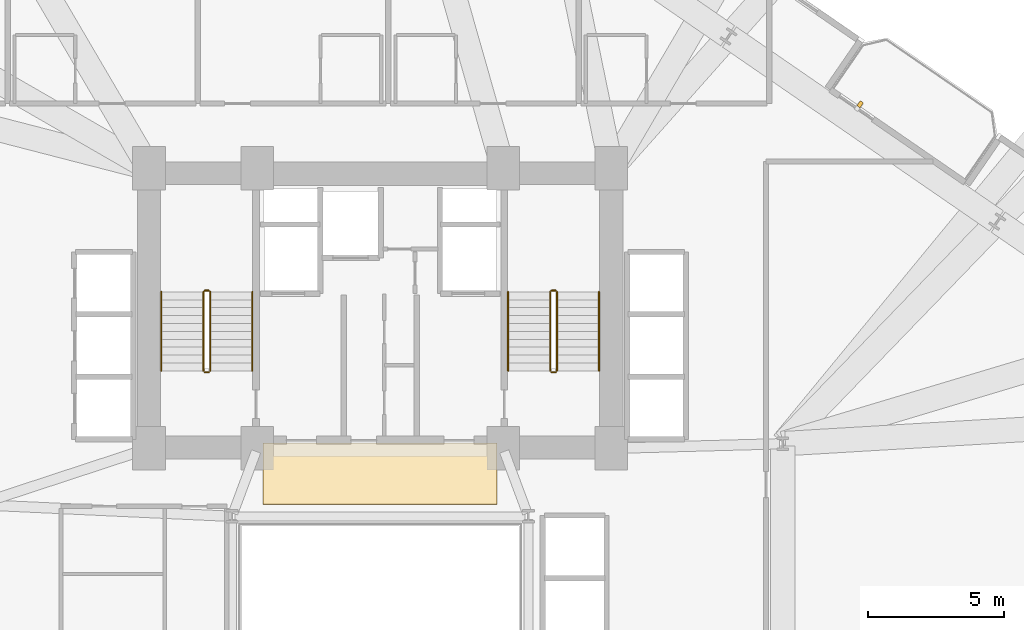
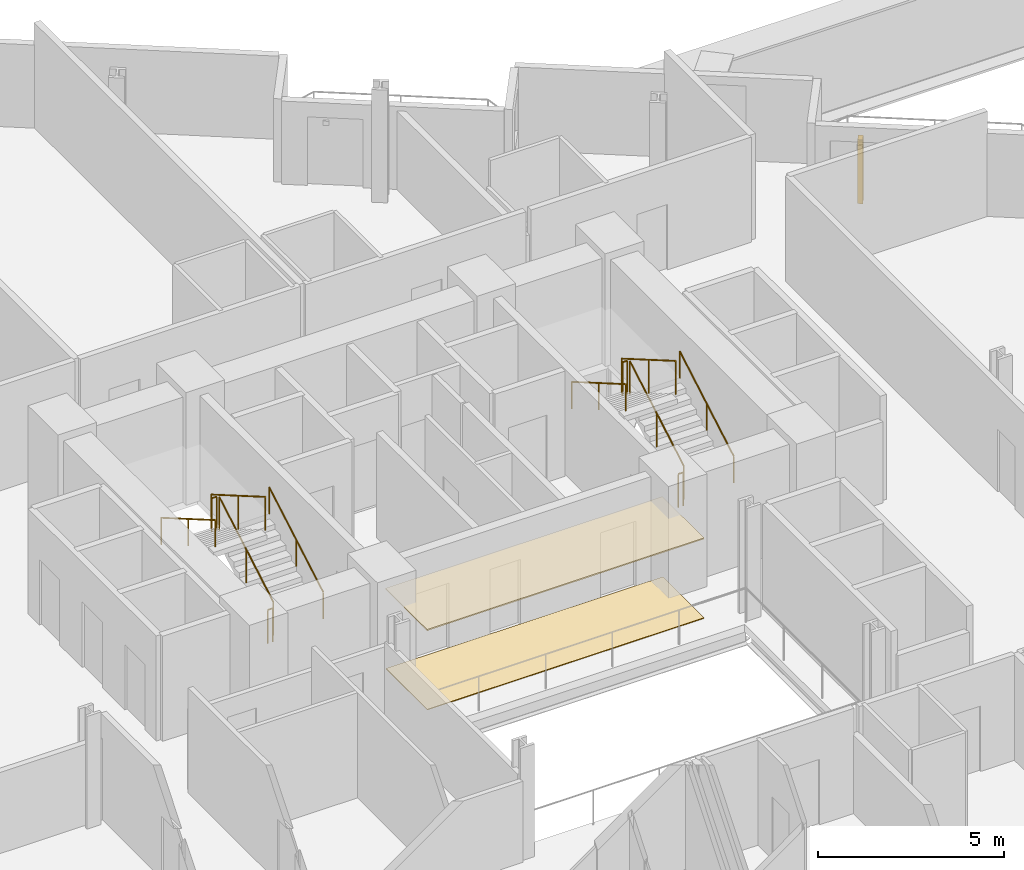
# One storey, part 25 of 26: 12 railings, 2 coverings, 1 shading device.
"""IFC4 building model written with IfcOpenShell, lengths in metres."""

import ifcopenshell
import ifcopenshell.guid

model = None  # the IFC model being written
_history = None  # IfcOwnerHistory: only IFC2X3 demands one
_inside = {}  # id of a spatial element -> (the spatial element, [elements in it])
_under = {}  # id of a project, library or spatial element -> (it, [spatial elements below it])
_declared = {}  # id of a project -> (the project, [libraries it declares])
_typed = {}  # id of a type object -> (the type object, [elements of that type])
_made_of = {}  # id of a material, layer set ... -> (it, [elements and type objects made of it])


def new_model(schema):
    """Start an empty IFC model of exactly this schema.

    Asked for "IFC4X3", IfcOpenShell would pick the latest addendum, in which some entities
    have other attributes; the version numbers below select the first issue.
    IFC2X3 requires an IfcOwnerHistory on every rooted entity: one is made here for all.
    """
    global model, _history
    if schema == "IFC4X3":
        model = ifcopenshell.file(schema_version=(4, 3, 0, 0))
    else:
        model = ifcopenshell.file(schema=schema)
    _inside.clear()
    _under.clear()
    _declared.clear()
    _typed.clear()
    _made_of.clear()
    _history = None
    if model.schema == "IFC2X3":
        org = make("IfcOrganization", Name="unknown")
        user = make(
            "IfcPersonAndOrganization",
            ThePerson=make("IfcPerson", FamilyName="unknown"),
            TheOrganization=org,
        )
        app = make(
            "IfcApplication",
            ApplicationDeveloper=org,
            Version="unknown",
            ApplicationFullName="unknown",
            ApplicationIdentifier="unknown",
        )
        _history = make(
            "IfcOwnerHistory",
            OwningUser=user,
            OwningApplication=app,
            ChangeAction="ADDED",
            CreationDate=0,
        )
    return model


def make(cls, **values):
    """One entity of the class cls with the attributes given. An attribute that is None is left unset."""
    return model.create_entity(
        cls, **{name: value for name, value in values.items() if value is not None}
    )


def rooted(cls, **values):
    """An entity with a GlobalId (a new one), such as an element, a storey or a relation."""
    return make(cls, GlobalId=ifcopenshell.guid.new(), OwnerHistory=_history, **values)


def si_unit(unit_type, name, prefix=None):
    """IfcSIUnit, for example si_unit("LENGTHUNIT", "METRE", prefix="MILLI")."""
    return make("IfcSIUnit", UnitType=unit_type, Prefix=prefix, Name=name)


def assignment(units):
    """IfcUnitAssignment: the units of a project."""
    return None if units is None else make("IfcUnitAssignment", Units=units)


def point(xyz):
    """IfcCartesianPoint."""
    return None if xyz is None else make("IfcCartesianPoint", Coordinates=xyz)


def direction(xyz):
    """IfcDirection."""
    return None if xyz is None else make("IfcDirection", DirectionRatios=xyz)


def frame(location, z_axis=None, x_axis=None):
    """IfcAxis2Placement3D, a coordinate frame: its origin and axes. An axis left out is left unset."""
    return make(
        "IfcAxis2Placement3D",
        Location=point(location),
        Axis=direction(z_axis),
        RefDirection=direction(x_axis),
    )


def frame_2d(location, x_axis=None):
    """IfcAxis2Placement2D, a coordinate frame in the plane: its origin and x axis."""
    return make(
        "IfcAxis2Placement2D", Location=point(location), RefDirection=direction(x_axis)
    )


def origin():
    """The frame at (0, 0, 0) with its axes left unset."""
    return frame((0.0, 0.0, 0.0))


def origin_2d():
    """The frame at (0, 0) in the plane with its x axis left unset."""
    return frame_2d((0.0, 0.0))


def place(relative_to, where):
    """IfcLocalPlacement: puts the frame where relative to a parent placement (None: the world)."""
    return make(
        "IfcLocalPlacement", PlacementRelTo=relative_to, RelativePlacement=where
    )


def context(
    kind, dimensions, precision=None, world=None, true_north=None, identifier=None
):
    """IfcGeometricRepresentationContext, for example the 3D "Model" context."""
    return make(
        "IfcGeometricRepresentationContext",
        ContextIdentifier=identifier,
        ContextType=kind,
        CoordinateSpaceDimension=dimensions,
        Precision=precision,
        WorldCoordinateSystem=world,
        TrueNorth=true_north,
    )


def subcontext(parent, identifier, kind, view, scale=None):
    """IfcGeometricRepresentationSubContext, for example "Body" below "Model"."""
    return make(
        "IfcGeometricRepresentationSubContext",
        ContextIdentifier=identifier,
        ContextType=kind,
        ParentContext=parent,
        TargetScale=scale,
        TargetView=view,
    )


def project(units=None, contexts=None):
    """IfcProject with its units and contexts."""
    return rooted(
        "IfcProject",
        Name="project",
        RepresentationContexts=contexts,
        UnitsInContext=assignment(units),
    )


def spatial(cls, under=None, at=None, **own):
    """A site, building, storey or space (cls), placed at a placement, below another one or the project."""
    s = rooted(cls, ObjectPlacement=at, **own)
    if under is not None:
        _under.setdefault(under.id(), (under, []))[1].append(s)
    return s


def profile(cls, at=None, kind="AREA", **sizes):
    """A parametric profile (cls). Its sizes go by their IFC names, for example OverallWidth=200.0."""
    return make(cls, ProfileType=kind, Position=at, **sizes)


def rectangle(**sizes):
    """IfcRectangleProfileDef."""
    return profile("IfcRectangleProfileDef", **sizes)


def circle(**sizes):
    """IfcCircleProfileDef."""
    return profile("IfcCircleProfileDef", **sizes)


def extrude(swept, where, along, depth):
    """IfcExtrudedAreaSolid: the profile swept, set in the frame where, extruded along a direction by depth."""
    return make(
        "IfcExtrudedAreaSolid",
        SweptArea=swept,
        Position=where,
        ExtrudedDirection=direction(along),
        Depth=depth,
    )


def shape(context_of_items, identifier, shape_type, items):
    """IfcShapeRepresentation: the items that make up one representation, for example the "Body"."""
    return make(
        "IfcShapeRepresentation",
        ContextOfItems=context_of_items,
        RepresentationIdentifier=identifier,
        RepresentationType=shape_type,
        Items=items,
    )


def source(mapping_origin, context_of_items, identifier, shape_type, items):
    """IfcRepresentationMap: a shape defined once, which mapped items show again and again."""
    return make(
        "IfcRepresentationMap",
        MappingOrigin=mapping_origin,
        MappedRepresentation=shape(context_of_items, identifier, shape_type, items),
    )


def transform(
    local_origin,
    x_axis=None,
    y_axis=None,
    z_axis=None,
    scale=None,
    scale2=None,
    scale3=None,
    uniform=True,
):
    """IfcCartesianTransformationOperator3D, or its non-uniform kind. x_axis, y_axis, z_axis: its Axis1, 2, 3."""
    if uniform:
        return make(
            "IfcCartesianTransformationOperator3D",
            Axis1=direction(x_axis),
            Axis2=direction(y_axis),
            LocalOrigin=point(local_origin),
            Scale=scale,
            Axis3=direction(z_axis),
        )
    return make(
        "IfcCartesianTransformationOperator3DnonUniform",
        Axis1=direction(x_axis),
        Axis2=direction(y_axis),
        LocalOrigin=point(local_origin),
        Scale=scale,
        Axis3=direction(z_axis),
        Scale2=scale2,
        Scale3=scale3,
    )


def mapped(mapping_source, mapping_target):
    """IfcMappedItem: shows the shape of a source again, moved by a transform."""
    return make(
        "IfcMappedItem", MappingSource=mapping_source, MappingTarget=mapping_target
    )


def material(Name=None, Category=None):
    """IfcMaterial."""
    return make("IfcMaterial", Name=Name, Category=Category)


def layer(
    of_material, thickness, ventilated=None, Name=None, Category=None, Priority=None
):
    """IfcMaterialLayer: one layer of a wall or slab, of a material (None: an air gap)."""
    return make(
        "IfcMaterialLayer",
        Material=of_material,
        LayerThickness=thickness,
        IsVentilated=ventilated,
        Name=Name,
        Category=Category,
        Priority=Priority,
    )


def layer_set(layers, Name=None):
    """IfcMaterialLayerSet."""
    return make("IfcMaterialLayerSet", MaterialLayers=layers, LayerSetName=Name)


def made_of(thing, what):
    """Note that an element or type object is made of a material, layer set ...; save() writes the relation."""
    if what is not None:
        _made_of.setdefault(what.id(), (what, []))[1].append(thing)
    return thing


def type_object(cls, material=None, **own):
    """A type object (cls), such as IfcWallType, which elements share."""
    return made_of(rooted(cls, **own), material)


def element(
    cls,
    number,
    at=None,
    inside=None,
    cuts=None,
    type_object=None,
    material=None,
    context=None,
    identifier="Body",
    shape_type=None,
    held_by="IfcProductDefinitionShape",
    body=None,
    shapes=None,
    **own,
):
    """One element of the class cls, such as IfcWall. Its Tag is "e" and its number.

    at: its placement. inside: the storey or other place that contains it. cuts: it is an
    opening in that element (IfcRelVoidsElement). A single representation is given by context,
    identifier, shape_type and body (its items); several are given by shapes. held_by: the class
    of the entity that holds the representations. save() writes the other relations.
    """
    e = rooted(cls, Tag="e%d" % number, ObjectPlacement=at, **own)
    if body is not None:
        shapes = [shape(context, identifier, shape_type, body)]
    if shapes is not None:
        e.Representation = make(held_by, Representations=shapes)
    if inside is not None:
        _inside.setdefault(inside.id(), (inside, []))[1].append(e)
    if cuts is not None:
        rooted(
            "IfcRelVoidsElement", RelatingBuildingElement=cuts, RelatedOpeningElement=e
        )
    if type_object is not None:
        _typed.setdefault(type_object.id(), (type_object, []))[1].append(e)
    return made_of(e, material)


def aggregate(whole, parts):
    """IfcRelAggregates: a whole, such as a stair, and the parts it consists of."""
    return rooted("IfcRelAggregates", RelatingObject=whole, RelatedObjects=parts)


def save(model, path):
    """Write the relations noted so far, then the file.

    IfcRelAggregates (storeys below a building ...), IfcRelContainedInSpatialStructure (elements
    in a storey), IfcRelDefinesByType, IfcRelAssociatesMaterial and IfcRelDeclares: one each for
    every whole, place, type object, material and project.
    """
    for whole, parts in _under.values():
        aggregate(whole, parts)
    for where, things in _inside.values():
        rooted(
            "IfcRelContainedInSpatialStructure",
            RelatedElements=things,
            RelatingStructure=where,
        )
    for kind, things in _typed.values():
        rooted("IfcRelDefinesByType", RelatedObjects=things, RelatingType=kind)
    for what, things in _made_of.values():
        rooted("IfcRelAssociatesMaterial", RelatedObjects=things, RelatingMaterial=what)
    for by, libraries in _declared.values():
        rooted("IfcRelDeclares", RelatingContext=by, RelatedDefinitions=libraries)
    model.write(path)


model = new_model("IFC4")

# Units and contexts
model_context = context("Model", 3, precision=1e-05, world=origin(), true_north=direction((0.0, 1.0)))
body_context = subcontext(model_context, "Body", "Model", "MODEL_VIEW")
ifc_project = project(units=[si_unit("LENGTHUNIT", "METRE"), si_unit("AREAUNIT", "SQUARE_METRE"), si_unit("VOLUMEUNIT", "CUBIC_METRE"), si_unit("PLANEANGLEUNIT", "RADIAN"), si_unit("MASSUNIT", "GRAM", prefix="KILO")], contexts=[model_context])

# Site, building, storey
site_placement = place(None, origin())
site = spatial("IfcSite", under=ifc_project, at=site_placement, CompositionType="ELEMENT")
building_placement = place(site_placement, origin())
building = spatial("IfcBuilding", under=site, at=building_placement, Name="Varnelok Gate Tower", CompositionType="ELEMENT")
storey_placement = place(building_placement, frame((0.0, 0.0, 27.0)))
storey = spatial("IfcBuildingStorey", under=building, at=storey_placement, Name="L05", CompositionType="ELEMENT", Elevation=27.0)

# Railings
ifc_material_1 = material(Name="Brushed Stainless Steel AISI 316", Category="steel")
railing_type_1 = type_object("IfcRailingType", Name="RL-HANDRAIL-900", PredefinedType="HANDRAIL", material=ifc_material_1)
railing_1_placement = place(storey_placement, frame((34.5, 31.60009765625, 0.168212890625)))
element("IfcRailing", 1, at=railing_1_placement, inside=storey, type_object=railing_type_1, Name="L05 ST-1 stair handrail 1", PredefinedType="HANDRAIL", context=body_context, shape_type="SweptSolid", body=[
    extrude(circle(Radius=0.02392578125, at=origin_2d()), frame((0.0, 0.0, 0.8759765625), z_axis=(0.0, 0.865038774852, 0.501705010941), x_axis=(-1.0, 0.0, 0.0)), (0.0, 0.0, 1.0), 3.352294921875),
    extrude(circle(Radius=0.02099609375, at=origin_2d()), origin(), (0.0, 0.0, 1.0), 0.851806640625),
    extrude(circle(Radius=0.02099609375, at=origin_2d()), frame((0.0, 1.449951171875, 0.8408203125)), (0.0, 0.0, 1.0), 0.851806640625),
    extrude(circle(Radius=0.02099609375, at=origin_2d()), frame((0.0, 2.89990234375, 1.681884765625)), (0.0, 0.0, 1.0), 0.851806640625),
])
railing_2_placement = place(storey_placement, frame((31.14990234375, 34.5, 2.01806640625)))
element("IfcRailing", 2, at=railing_2_placement, inside=storey, type_object=railing_type_1, Name="L05 ST-1 stair handrail 2", PredefinedType="HANDRAIL", context=body_context, shape_type="SweptSolid", body=[
    extrude(circle(Radius=0.02392578125, at=origin_2d()), frame((0.0, 0.0, 0.8759765625), z_axis=(0.0, -0.865038774852, 0.501705010941), x_axis=(1.0, 0.0, 0.0)), (0.0, 0.0, 1.0), 3.352294921875),
    extrude(circle(Radius=0.02099609375, at=origin_2d()), origin(), (0.0, 0.0, 1.0), 0.851806640625),
    extrude(circle(Radius=0.02099609375, at=origin_2d()), frame((0.0, -1.449951171875, 0.8408203125)), (0.0, 0.0, 1.0), 0.851806640625),
    extrude(circle(Radius=0.02099609375, at=origin_2d()), frame((0.0, -2.89990234375, 1.681884765625)), (0.0, 0.0, 1.0), 0.851806640625),
])
railing_3_placement = place(storey_placement, frame((47.25, 31.60009765625, 0.168212890625)))
element("IfcRailing", 3, at=railing_3_placement, inside=storey, type_object=railing_type_1, Name="L05 ST-2 stair handrail 1", PredefinedType="HANDRAIL", context=body_context, shape_type="SweptSolid", body=[
    extrude(circle(Radius=0.02392578125, at=origin_2d()), frame((0.0, 0.0, 0.8759765625), z_axis=(0.0, 0.865038774852, 0.501705010941), x_axis=(-1.0, 0.0, 0.0)), (0.0, 0.0, 1.0), 3.352294921875),
    extrude(circle(Radius=0.02099609375, at=origin_2d()), origin(), (0.0, 0.0, 1.0), 0.851806640625),
    extrude(circle(Radius=0.02099609375, at=origin_2d()), frame((0.0, 1.449951171875, 0.8408203125)), (0.0, 0.0, 1.0), 0.851806640625),
    extrude(circle(Radius=0.02099609375, at=origin_2d()), frame((0.0, 2.89990234375, 1.681884765625)), (0.0, 0.0, 1.0), 0.851806640625),
])
railing_4_placement = place(storey_placement, frame((43.89990234375, 34.5, 2.01806640625)))
element("IfcRailing", 4, at=railing_4_placement, inside=storey, type_object=railing_type_1, Name="L05 ST-2 stair handrail 2", PredefinedType="HANDRAIL", context=body_context, shape_type="SweptSolid", body=[
    extrude(circle(Radius=0.02392578125, at=origin_2d()), frame((0.0, 0.0, 0.8759765625), z_axis=(0.0, -0.865038774852, 0.501705010941), x_axis=(1.0, 0.0, 0.0)), (0.0, 0.0, 1.0), 3.352294921875),
    extrude(circle(Radius=0.02099609375, at=origin_2d()), origin(), (0.0, 0.0, 1.0), 0.851806640625),
    extrude(circle(Radius=0.02099609375, at=origin_2d()), frame((0.0, -1.449951171875, 0.8408203125)), (0.0, 0.0, 1.0), 0.851806640625),
    extrude(circle(Radius=0.02099609375, at=origin_2d()), frame((0.0, -2.89990234375, 1.681884765625)), (0.0, 0.0, 1.0), 0.851806640625),
])
ifc_material_2 = material(Name="Galvanized Steel Grade S350GD", Category="steel")
railing_type_2 = type_object("IfcRailingType", Name="RL-STAIR-GUARD1120", PredefinedType="GUARDRAIL", material=ifc_material_2)
railing_5_placement = place(storey_placement, frame((32.949951171875, 31.60009765625, 0.168212890625)))
element("IfcRailing", 5, at=railing_5_placement, inside=storey, type_object=railing_type_2, Name="L05 ST-1 stair guard 1", PredefinedType="GUARDRAIL", context=body_context, shape_type="SweptSolid", body=[
    extrude(circle(Radius=0.02392578125, at=origin_2d()), frame((0.0, 0.0, 1.09619140625), z_axis=(0.0, 0.865038774852, 0.501705010941), x_axis=(-1.0, 0.0, 0.0)), (0.0, 0.0, 1.0), 3.352294921875),
    extrude(circle(Radius=0.02099609375, at=origin_2d()), origin(), (0.0, 0.0, 1.0), 1.072021484375),
    extrude(circle(Radius=0.02099609375, at=origin_2d()), frame((0.0, 1.449951171875, 0.8408203125)), (0.0, 0.0, 1.0), 1.072021484375),
    extrude(circle(Radius=0.02099609375, at=origin_2d()), frame((0.0, 2.89990234375, 1.681884765625)), (0.0, 0.0, 1.0), 1.072021484375),
])
railing_6_placement = place(storey_placement, frame((32.89990234375, 34.550048828125, 1.85009765625)))
element("IfcRailing", 6, at=railing_6_placement, inside=storey, type_object=railing_type_2, Name="L05 ST-1 stair guard 2", PredefinedType="GUARDRAIL", context=body_context, shape_type="SweptSolid", body=[
    extrude(circle(Radius=0.02392578125, at=origin_2d()), frame((0.0, 0.0, 1.09619140625), z_axis=(-1.0, 0.0, 0.0), x_axis=(0.0, -1.0, 0.0)), (0.0, 0.0, 1.0), 0.14990234375),
    extrude(circle(Radius=0.02099609375, at=origin_2d()), origin(), (0.0, 0.0, 1.0), 1.072021484375),
    extrude(circle(Radius=0.02099609375, at=origin_2d()), frame((-0.14990234375, 0.0, 0.0)), (0.0, 0.0, 1.0), 1.072021484375),
])
railing_7_placement = place(storey_placement, frame((32.699951171875, 34.5, 2.01806640625)))
element("IfcRailing", 7, at=railing_7_placement, inside=storey, type_object=railing_type_2, Name="L05 ST-1 stair guard 3", PredefinedType="GUARDRAIL", context=body_context, shape_type="SweptSolid", body=[
    extrude(circle(Radius=0.02392578125, at=origin_2d()), frame((0.0, 0.0, 1.09619140625), z_axis=(0.0, -0.865038774852, 0.501705010941), x_axis=(1.0, 0.0, 0.0)), (0.0, 0.0, 1.0), 3.352294921875),
    extrude(circle(Radius=0.02099609375, at=origin_2d()), origin(), (0.0, 0.0, 1.0), 1.072021484375),
    extrude(circle(Radius=0.02099609375, at=origin_2d()), frame((0.0, -1.449951171875, 0.8408203125)), (0.0, 0.0, 1.0), 1.072021484375),
    extrude(circle(Radius=0.02099609375, at=origin_2d()), frame((0.0, -2.89990234375, 1.681884765625)), (0.0, 0.0, 1.0), 1.072021484375),
])
railing_8_placement = place(storey_placement, frame((32.89990234375, 31.550048828125, 0.0)))
element("IfcRailing", 8, at=railing_8_placement, inside=storey, type_object=railing_type_2, Name="L05 ST-1 stair guard 4", PredefinedType="GUARDRAIL", context=body_context, shape_type="SweptSolid", body=[
    extrude(circle(Radius=0.02392578125, at=origin_2d()), frame((0.0, 0.0, 1.09619140625), z_axis=(-1.0, 0.0, 0.0), x_axis=(0.0, -1.0, 0.0)), (0.0, 0.0, 1.0), 0.14990234375),
    extrude(circle(Radius=0.02099609375, at=origin_2d()), origin(), (0.0, 0.0, 1.0), 1.072021484375),
    extrude(circle(Radius=0.02099609375, at=origin_2d()), frame((-0.14990234375, 0.0, 0.0)), (0.0, 0.0, 1.0), 1.072021484375),
])
railing_9_placement = place(storey_placement, frame((45.699951171875, 31.60009765625, 0.168212890625)))
element("IfcRailing", 9, at=railing_9_placement, inside=storey, type_object=railing_type_2, Name="L05 ST-2 stair guard 1", PredefinedType="GUARDRAIL", context=body_context, shape_type="SweptSolid", body=[
    extrude(circle(Radius=0.02392578125, at=origin_2d()), frame((0.0, 0.0, 1.09619140625), z_axis=(0.0, 0.865038774852, 0.501705010941), x_axis=(-1.0, 0.0, 0.0)), (0.0, 0.0, 1.0), 3.352294921875),
    extrude(circle(Radius=0.02099609375, at=origin_2d()), origin(), (0.0, 0.0, 1.0), 1.072021484375),
    extrude(circle(Radius=0.02099609375, at=origin_2d()), frame((0.0, 1.449951171875, 0.8408203125)), (0.0, 0.0, 1.0), 1.072021484375),
    extrude(circle(Radius=0.02099609375, at=origin_2d()), frame((0.0, 2.89990234375, 1.681884765625)), (0.0, 0.0, 1.0), 1.072021484375),
])
railing_10_placement = place(storey_placement, frame((45.64990234375, 34.550048828125, 1.85009765625)))
element("IfcRailing", 10, at=railing_10_placement, inside=storey, type_object=railing_type_2, Name="L05 ST-2 stair guard 2", PredefinedType="GUARDRAIL", context=body_context, shape_type="SweptSolid", body=[
    extrude(circle(Radius=0.02392578125, at=origin_2d()), frame((0.0, 0.0, 1.09619140625), z_axis=(-1.0, 0.0, 0.0), x_axis=(0.0, -1.0, 0.0)), (0.0, 0.0, 1.0), 0.14990234375),
    extrude(circle(Radius=0.02099609375, at=origin_2d()), origin(), (0.0, 0.0, 1.0), 1.072021484375),
    extrude(circle(Radius=0.02099609375, at=origin_2d()), frame((-0.14990234375, 0.0, 0.0)), (0.0, 0.0, 1.0), 1.072021484375),
])
railing_11_placement = place(storey_placement, frame((45.449951171875, 34.5, 2.01806640625)))
element("IfcRailing", 11, at=railing_11_placement, inside=storey, type_object=railing_type_2, Name="L05 ST-2 stair guard 3", PredefinedType="GUARDRAIL", context=body_context, shape_type="SweptSolid", body=[
    extrude(circle(Radius=0.02392578125, at=origin_2d()), frame((0.0, 0.0, 1.09619140625), z_axis=(0.0, -0.865038774852, 0.501705010941), x_axis=(1.0, 0.0, 0.0)), (0.0, 0.0, 1.0), 3.352294921875),
    extrude(circle(Radius=0.02099609375, at=origin_2d()), origin(), (0.0, 0.0, 1.0), 1.072021484375),
    extrude(circle(Radius=0.02099609375, at=origin_2d()), frame((0.0, -1.449951171875, 0.8408203125)), (0.0, 0.0, 1.0), 1.072021484375),
    extrude(circle(Radius=0.02099609375, at=origin_2d()), frame((0.0, -2.89990234375, 1.681884765625)), (0.0, 0.0, 1.0), 1.072021484375),
])
railing_12_placement = place(storey_placement, frame((45.64990234375, 31.550048828125, 0.0)))
element("IfcRailing", 12, at=railing_12_placement, inside=storey, type_object=railing_type_2, Name="L05 ST-2 stair guard 4", PredefinedType="GUARDRAIL", context=body_context, shape_type="SweptSolid", body=[
    extrude(circle(Radius=0.02392578125, at=origin_2d()), frame((0.0, 0.0, 1.09619140625), z_axis=(-1.0, 0.0, 0.0), x_axis=(0.0, -1.0, 0.0)), (0.0, 0.0, 1.0), 0.14990234375),
    extrude(circle(Radius=0.02099609375, at=origin_2d()), origin(), (0.0, 0.0, 1.0), 1.072021484375),
    extrude(circle(Radius=0.02099609375, at=origin_2d()), frame((-0.14990234375, 0.0, 0.0)), (0.0, 0.0, 1.0), 1.072021484375),
])

# Shading device
ifc_material_3 = material(Name="Glazed Architectural Terracotta Ceramic", Category="masonry")
shading_device_type = type_object("IfcShadingDeviceType", Name="SHD-TERRA-FIN", PredefinedType="USERDEFINED", material=ifc_material_3)
shared_shape_1 = source(origin(), body_context, "Body", "SweptSolid", [
    extrude(rectangle(XDim=0.139892578125, YDim=0.219970703125, at=origin_2d()), origin(), (0.0, 0.0, 1.0), 2.10009765625),
])
shading_device_placement = place(storey_placement, frame((56.847412109375, 41.400390625, 0.099853515625), z_axis=(0.0, 0.0, 1.0), x_axis=(0.823532597628, -0.567268949127, 0.0)))
element("IfcShadingDevice", 13, at=shading_device_placement, inside=storey, type_object=shading_device_type, Name="L05 Terracotta Ceramic Baguette Sunscreen 4.1", ObjectType="BAGUETTE", PredefinedType="USERDEFINED", context=body_context, shape_type="MappedRepresentation", body=[
    mapped(shared_shape_1, transform((0.0, 0.0, 0.0), scale=1.0)),
])

# Coverings
ifc_material_4 = material(Name="Honed Travertine Stone Flooring", Category="masonry")
ifc_layer_1 = layer(ifc_material_4, 0.02490234375)
ifc_layer_set_1 = layer_set([ifc_layer_1], Name="Honed Travertine Stone Flooring")
covering_type_1 = type_object("IfcCoveringType", Name="COV-FLOR-STONE", PredefinedType="FLOORING", material=ifc_layer_set_1)
shared_shape_2 = source(origin(), body_context, "Body", "SweptSolid", [
    extrude(rectangle(XDim=8.60009765625, YDim=2.219970703125, at=origin_2d()), origin(), (0.0, 0.0, 1.0), 0.02490234375),
])
covering_1_placement = place(storey_placement, frame((39.199951171875, 27.800048828125, 0.0), z_axis=(0.0, 0.0, 1.0), x_axis=(1.0, 0.0, 0.0)))
element("IfcCovering", 14, at=covering_1_placement, inside=storey, type_object=covering_type_1, Name="L05 Core Gallery Stone Flooring", PredefinedType="FLOORING", context=body_context, shape_type="MappedRepresentation", body=[
    mapped(shared_shape_2, transform((0.0, 0.0, 0.0), scale=1.0)),
])
ifc_material_5 = material(Name="Mineral Fiber Acoustic Ceiling Tile")
ifc_layer_2 = layer(ifc_material_5, 0.0400390625)
ifc_layer_set_2 = layer_set([ifc_layer_2], Name="Mineral Fiber Acoustic Ceiling Tile")
covering_type_2 = type_object("IfcCoveringType", Name="COV-CEIL-ACOUST", PredefinedType="CEILING", material=ifc_layer_set_2)
shared_shape_3 = source(origin(), body_context, "Body", "SweptSolid", [
    extrude(rectangle(XDim=8.60009765625, YDim=2.239990234375, at=origin_2d()), origin(), (0.0, 0.0, 1.0), 0.0400390625),
])
covering_2_placement = place(storey_placement, frame((39.199951171875, 27.820068359375, 2.60009765625), z_axis=(0.0, 0.0, 1.0), x_axis=(1.0, 0.0, 0.0)))
element("IfcCovering", 15, at=covering_2_placement, inside=storey, type_object=covering_type_2, Name="L05 Core Gallery Acoustic Ceiling", PredefinedType="CEILING", context=body_context, shape_type="MappedRepresentation", body=[
    mapped(shared_shape_3, transform((0.0, 0.0, 0.0), scale=1.0)),
])

save(model, "model.ifc")
